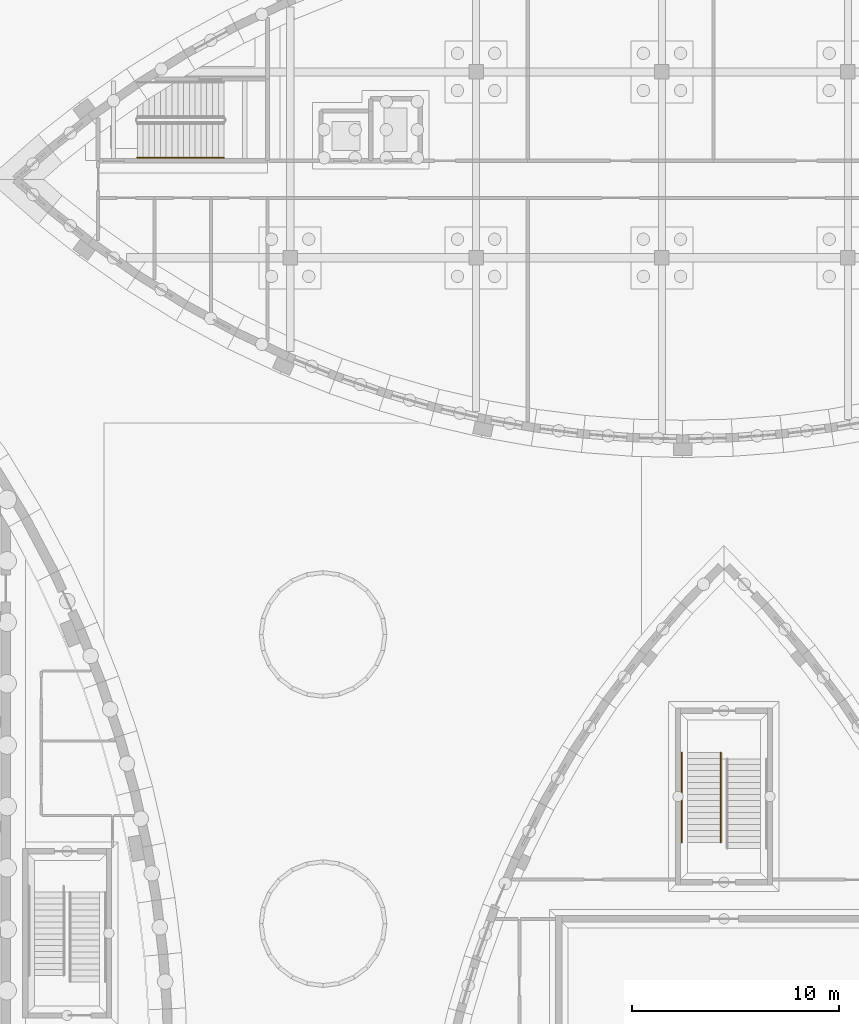
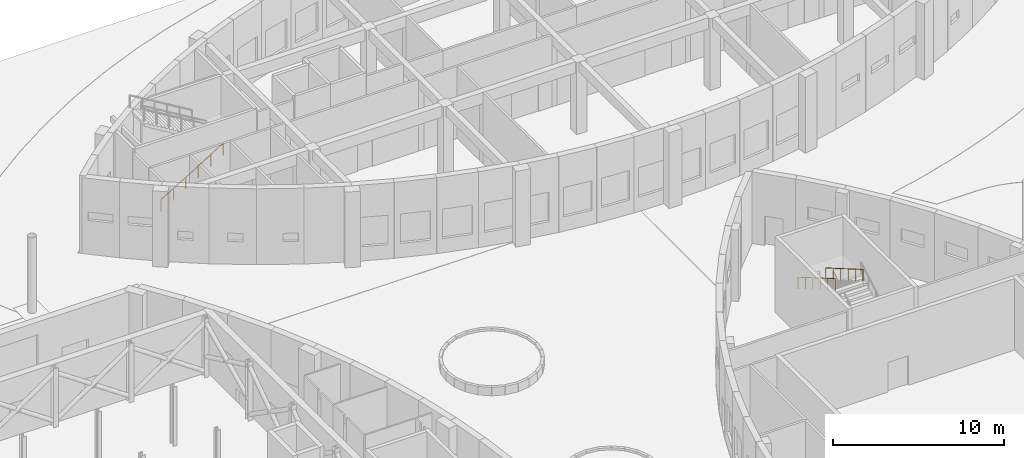
# One storey, part 78 of 82: 3 railings.
"""IFC4 building model written with IfcOpenShell, lengths in metres."""

import ifcopenshell
import ifcopenshell.guid

model = None  # the IFC model being written
_history = None  # IfcOwnerHistory: only IFC2X3 demands one
_inside = {}  # id of a spatial element -> (the spatial element, [elements in it])
_under = {}  # id of a project, library or spatial element -> (it, [spatial elements below it])
_declared = {}  # id of a project -> (the project, [libraries it declares])
_typed = {}  # id of a type object -> (the type object, [elements of that type])
_made_of = {}  # id of a material, layer set ... -> (it, [elements and type objects made of it])


def new_model(schema):
    """Start an empty IFC model of exactly this schema.

    Asked for "IFC4X3", IfcOpenShell would pick the latest addendum, in which some entities
    have other attributes; the version numbers below select the first issue.
    IFC2X3 requires an IfcOwnerHistory on every rooted entity: one is made here for all.
    """
    global model, _history
    if schema == "IFC4X3":
        model = ifcopenshell.file(schema_version=(4, 3, 0, 0))
    else:
        model = ifcopenshell.file(schema=schema)
    _inside.clear()
    _under.clear()
    _declared.clear()
    _typed.clear()
    _made_of.clear()
    _history = None
    if model.schema == "IFC2X3":
        org = make("IfcOrganization", Name="unknown")
        user = make(
            "IfcPersonAndOrganization",
            ThePerson=make("IfcPerson", FamilyName="unknown"),
            TheOrganization=org,
        )
        app = make(
            "IfcApplication",
            ApplicationDeveloper=org,
            Version="unknown",
            ApplicationFullName="unknown",
            ApplicationIdentifier="unknown",
        )
        _history = make(
            "IfcOwnerHistory",
            OwningUser=user,
            OwningApplication=app,
            ChangeAction="ADDED",
            CreationDate=0,
        )
    return model


def make(cls, **values):
    """One entity of the class cls with the attributes given. An attribute that is None is left unset."""
    return model.create_entity(
        cls, **{name: value for name, value in values.items() if value is not None}
    )


def rooted(cls, **values):
    """An entity with a GlobalId (a new one), such as an element, a storey or a relation."""
    return make(cls, GlobalId=ifcopenshell.guid.new(), OwnerHistory=_history, **values)


def si_unit(unit_type, name, prefix=None):
    """IfcSIUnit, for example si_unit("LENGTHUNIT", "METRE", prefix="MILLI")."""
    return make("IfcSIUnit", UnitType=unit_type, Prefix=prefix, Name=name)


def assignment(units):
    """IfcUnitAssignment: the units of a project."""
    return None if units is None else make("IfcUnitAssignment", Units=units)


def point(xyz):
    """IfcCartesianPoint."""
    return None if xyz is None else make("IfcCartesianPoint", Coordinates=xyz)


def direction(xyz):
    """IfcDirection."""
    return None if xyz is None else make("IfcDirection", DirectionRatios=xyz)


def frame(location, z_axis=None, x_axis=None):
    """IfcAxis2Placement3D, a coordinate frame: its origin and axes. An axis left out is left unset."""
    return make(
        "IfcAxis2Placement3D",
        Location=point(location),
        Axis=direction(z_axis),
        RefDirection=direction(x_axis),
    )


def frame_2d(location, x_axis=None):
    """IfcAxis2Placement2D, a coordinate frame in the plane: its origin and x axis."""
    return make(
        "IfcAxis2Placement2D", Location=point(location), RefDirection=direction(x_axis)
    )


def origin():
    """The frame at (0, 0, 0) with its axes left unset."""
    return frame((0.0, 0.0, 0.0))


def origin_2d():
    """The frame at (0, 0) in the plane with its x axis left unset."""
    return frame_2d((0.0, 0.0))


def place(relative_to, where):
    """IfcLocalPlacement: puts the frame where relative to a parent placement (None: the world)."""
    return make(
        "IfcLocalPlacement", PlacementRelTo=relative_to, RelativePlacement=where
    )


def context(
    kind, dimensions, precision=None, world=None, true_north=None, identifier=None
):
    """IfcGeometricRepresentationContext, for example the 3D "Model" context."""
    return make(
        "IfcGeometricRepresentationContext",
        ContextIdentifier=identifier,
        ContextType=kind,
        CoordinateSpaceDimension=dimensions,
        Precision=precision,
        WorldCoordinateSystem=world,
        TrueNorth=true_north,
    )


def subcontext(parent, identifier, kind, view, scale=None):
    """IfcGeometricRepresentationSubContext, for example "Body" below "Model"."""
    return make(
        "IfcGeometricRepresentationSubContext",
        ContextIdentifier=identifier,
        ContextType=kind,
        ParentContext=parent,
        TargetScale=scale,
        TargetView=view,
    )


def project(units=None, contexts=None):
    """IfcProject with its units and contexts."""
    return rooted(
        "IfcProject",
        Name="project",
        RepresentationContexts=contexts,
        UnitsInContext=assignment(units),
    )


def spatial(cls, under=None, at=None, **own):
    """A site, building, storey or space (cls), placed at a placement, below another one or the project."""
    s = rooted(cls, ObjectPlacement=at, **own)
    if under is not None:
        _under.setdefault(under.id(), (under, []))[1].append(s)
    return s


def profile(cls, at=None, kind="AREA", **sizes):
    """A parametric profile (cls). Its sizes go by their IFC names, for example OverallWidth=200.0."""
    return make(cls, ProfileType=kind, Position=at, **sizes)


def circle(**sizes):
    """IfcCircleProfileDef."""
    return profile("IfcCircleProfileDef", **sizes)


def extrude(swept, where, along, depth):
    """IfcExtrudedAreaSolid: the profile swept, set in the frame where, extruded along a direction by depth."""
    return make(
        "IfcExtrudedAreaSolid",
        SweptArea=swept,
        Position=where,
        ExtrudedDirection=direction(along),
        Depth=depth,
    )


def shape(context_of_items, identifier, shape_type, items):
    """IfcShapeRepresentation: the items that make up one representation, for example the "Body"."""
    return make(
        "IfcShapeRepresentation",
        ContextOfItems=context_of_items,
        RepresentationIdentifier=identifier,
        RepresentationType=shape_type,
        Items=items,
    )


def material(Name=None, Category=None):
    """IfcMaterial."""
    return make("IfcMaterial", Name=Name, Category=Category)


def made_of(thing, what):
    """Note that an element or type object is made of a material, layer set ...; save() writes the relation."""
    if what is not None:
        _made_of.setdefault(what.id(), (what, []))[1].append(thing)
    return thing


def type_object(cls, material=None, **own):
    """A type object (cls), such as IfcWallType, which elements share."""
    return made_of(rooted(cls, **own), material)


def element(
    cls,
    number,
    at=None,
    inside=None,
    cuts=None,
    type_object=None,
    material=None,
    context=None,
    identifier="Body",
    shape_type=None,
    held_by="IfcProductDefinitionShape",
    body=None,
    shapes=None,
    **own,
):
    """One element of the class cls, such as IfcWall. Its Tag is "e" and its number.

    at: its placement. inside: the storey or other place that contains it. cuts: it is an
    opening in that element (IfcRelVoidsElement). A single representation is given by context,
    identifier, shape_type and body (its items); several are given by shapes. held_by: the class
    of the entity that holds the representations. save() writes the other relations.
    """
    e = rooted(cls, Tag="e%d" % number, ObjectPlacement=at, **own)
    if body is not None:
        shapes = [shape(context, identifier, shape_type, body)]
    if shapes is not None:
        e.Representation = make(held_by, Representations=shapes)
    if inside is not None:
        _inside.setdefault(inside.id(), (inside, []))[1].append(e)
    if cuts is not None:
        rooted(
            "IfcRelVoidsElement", RelatingBuildingElement=cuts, RelatedOpeningElement=e
        )
    if type_object is not None:
        _typed.setdefault(type_object.id(), (type_object, []))[1].append(e)
    return made_of(e, material)


def aggregate(whole, parts):
    """IfcRelAggregates: a whole, such as a stair, and the parts it consists of."""
    return rooted("IfcRelAggregates", RelatingObject=whole, RelatedObjects=parts)


def save(model, path):
    """Write the relations noted so far, then the file.

    IfcRelAggregates (storeys below a building ...), IfcRelContainedInSpatialStructure (elements
    in a storey), IfcRelDefinesByType, IfcRelAssociatesMaterial and IfcRelDeclares: one each for
    every whole, place, type object, material and project.
    """
    for whole, parts in _under.values():
        aggregate(whole, parts)
    for where, things in _inside.values():
        rooted(
            "IfcRelContainedInSpatialStructure",
            RelatedElements=things,
            RelatingStructure=where,
        )
    for kind, things in _typed.values():
        rooted("IfcRelDefinesByType", RelatedObjects=things, RelatingType=kind)
    for what, things in _made_of.values():
        rooted("IfcRelAssociatesMaterial", RelatedObjects=things, RelatingMaterial=what)
    for by, libraries in _declared.values():
        rooted("IfcRelDeclares", RelatingContext=by, RelatedDefinitions=libraries)
    model.write(path)


model = new_model("IFC4")

# Units and contexts
model_context = context("Model", 3, precision=1e-05, world=origin(), true_north=direction((0.0, 1.0)))
body_context = subcontext(model_context, "Body", "Model", "MODEL_VIEW")
ifc_project = project(units=[si_unit("LENGTHUNIT", "METRE"), si_unit("AREAUNIT", "SQUARE_METRE"), si_unit("VOLUMEUNIT", "CUBIC_METRE"), si_unit("PLANEANGLEUNIT", "RADIAN"), si_unit("MASSUNIT", "GRAM", prefix="KILO")], contexts=[model_context])

# Site, building, storey
site_placement = place(None, origin())
site = spatial("IfcSite", under=ifc_project, at=site_placement, CompositionType="ELEMENT")
building_placement = place(site_placement, origin())
building = spatial("IfcBuilding", under=site, at=building_placement, Name="Tide Square Theatres", CompositionType="ELEMENT")
storey_placement = place(building_placement, origin())
storey = spatial("IfcBuildingStorey", under=building, at=storey_placement, Name="L00", CompositionType="ELEMENT", Elevation=0.0)

# Railings
ifc_material = material(Name="Painted steel", Category="steel")
railing_type = type_object("IfcRailingType", Name="Steel handrail 850", PredefinedType="HANDRAIL", material=ifc_material)
for number, where, name in (
    (1, (131.840087890625, 70.048095703125, 2.86865234375), "Stair handrail 1"),
    (2, (129.9599609375, 70.048095703125, 2.86865234375), "Stair handrail 1"),
):
    element("IfcRailing", number, at=place(storey_placement, frame(where)), inside=storey, type_object=railing_type, Name=name, PredefinedType="HANDRAIL", context=body_context, shape_type="SweptSolid", body=[
        extrude(circle(Radius=0.02490234375, at=origin_2d()), frame((0.0, 0.0, 0.8251953125), z_axis=(0.0, -0.864311530196, 0.502956835891), x_axis=(1.0, 0.0, 0.0)), (0.0, 0.0, 1.0), 5.03271484375),
        extrude(circle(Radius=0.02001953125, at=origin_2d()), origin(), (0.0, 0.0, 1.0), 0.800048828125),
        extrude(circle(Radius=0.02001953125, at=origin_2d()), frame((0.0, -0.869873046875, 0.50634765625)), (0.0, 0.0, 1.0), 0.800048828125),
        extrude(circle(Radius=0.02001953125, at=origin_2d()), frame((0.0, -1.739990234375, 1.012451171875)), (0.0, 0.0, 1.0), 0.800048828125),
        extrude(circle(Radius=0.02001953125, at=origin_2d()), frame((0.0, -2.60986328125, 1.518798828125)), (0.0, 0.0, 1.0), 0.800048828125),
        extrude(circle(Radius=0.02001953125, at=origin_2d()), frame((0.0, -3.47998046875, 2.02490234375)), (0.0, 0.0, 1.0), 0.800048828125),
        extrude(circle(Radius=0.02001953125, at=origin_2d()), frame((0.0, -4.349853515625, 2.53125)), (0.0, 0.0, 1.0), 0.800048828125),
    ])
railing_placement = place(storey_placement, frame((103.60009765625, 98.85009765625, 0.168701171875)))
element("IfcRailing", 3, at=railing_placement, inside=storey, type_object=railing_type, Name="L00 RST-1 stair handrail 1", PredefinedType="HANDRAIL", context=body_context, shape_type="SweptSolid", body=[
    extrude(circle(Radius=0.02392578125, at=origin_2d()), frame((0.0, 0.0, 0.826171875), z_axis=(0.856476492594, 0.0, 0.516186030065), x_axis=(0.0, 1.0, 0.0)), (0.0, 0.0, 1.0), 4.90380859375),
    extrude(circle(Radius=0.02099609375, at=origin_2d()), origin(), (0.0, 0.0, 1.0), 0.802001953125),
    extrude(circle(Radius=0.02099609375, at=origin_2d()), frame((0.840087890625, 0.0, 0.50634765625)), (0.0, 0.0, 1.0), 0.802001953125),
    extrude(circle(Radius=0.02099609375, at=origin_2d()), frame((1.679931640625, 0.0, 1.012451171875)), (0.0, 0.0, 1.0), 0.802001953125),
    extrude(circle(Radius=0.02099609375, at=origin_2d()), frame((2.52001953125, 0.0, 1.518798828125)), (0.0, 0.0, 1.0), 0.802001953125),
    extrude(circle(Radius=0.02099609375, at=origin_2d()), frame((3.35986328125, 0.0, 2.02490234375)), (0.0, 0.0, 1.0), 0.802001953125),
    extrude(circle(Radius=0.02099609375, at=origin_2d()), frame((4.199951171875, 0.0, 2.53125)), (0.0, 0.0, 1.0), 0.802001953125),
])

save(model, "model.ifc")
